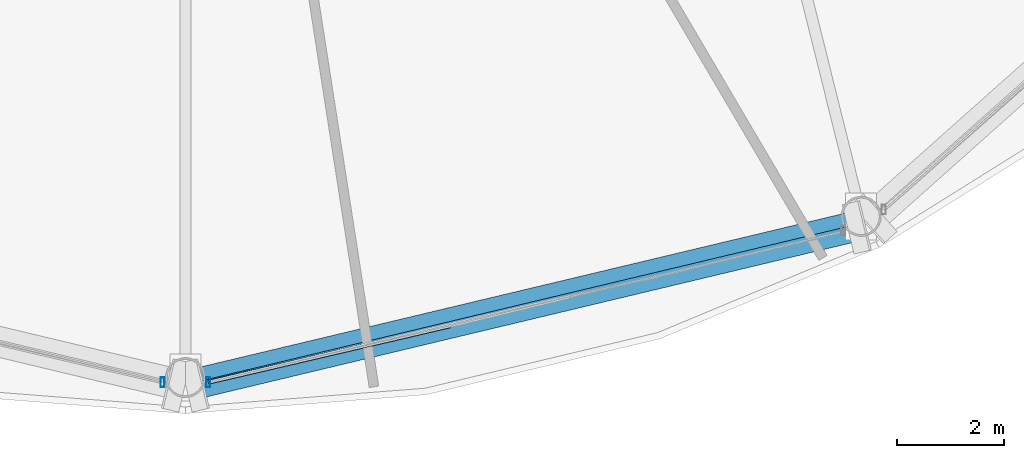
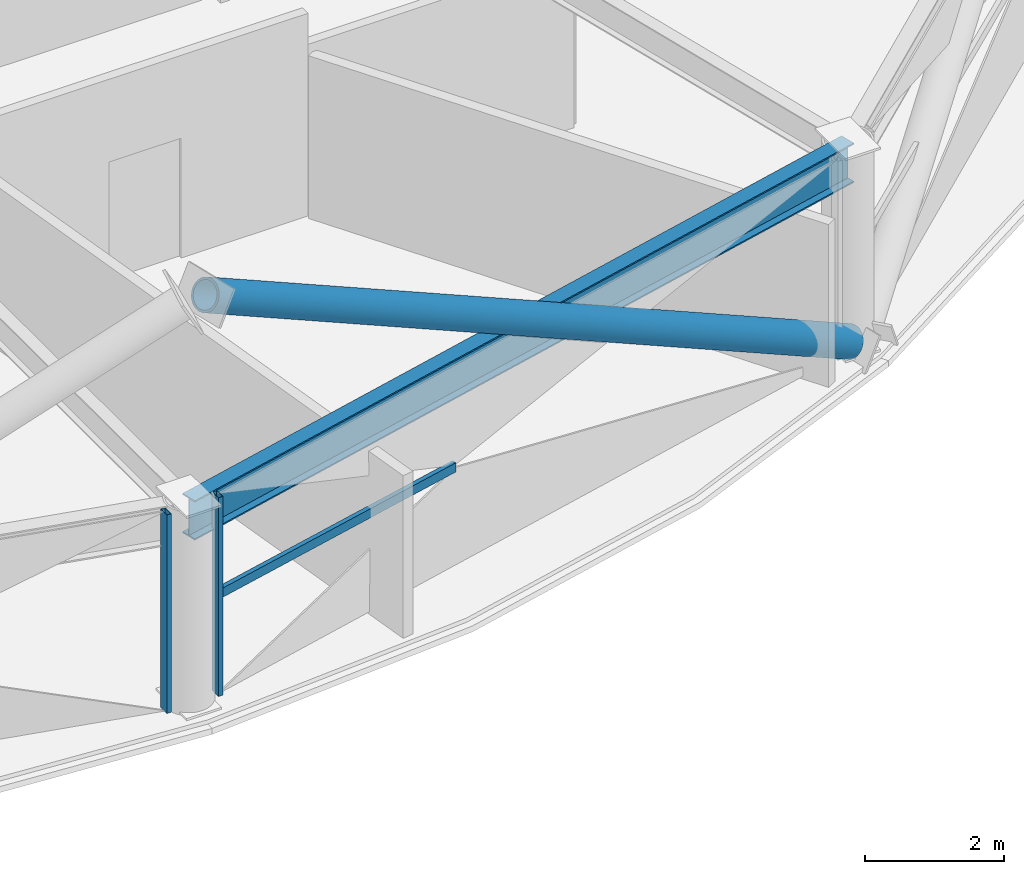
# One storey, part 4 of 30: 4 members, 1 beam, 2 elements without a shape of their own.
"""IFC4 building model written with IfcOpenShell, lengths in metres."""

from ifc_helpers import new_model, si_unit, direction, frame, origin, origin_2d, place, context, subcontext, project, spatial, hollow_rectangle, hollow_circle, i_section, extrude, material, layer, layer_set, material_profile, profile_set, type_object, element, aggregate, save


model = new_model("IFC4")

# Units and contexts
model_context = context("Model", 3, precision=1e-05, world=origin(), true_north=direction((0.0, 1.0)))
body_context = subcontext(model_context, "Body", "Model", "MODEL_VIEW")
ifc_project = project(units=[si_unit("LENGTHUNIT", "METRE"), si_unit("AREAUNIT", "SQUARE_METRE"), si_unit("VOLUMEUNIT", "CUBIC_METRE"), si_unit("PLANEANGLEUNIT", "RADIAN"), si_unit("MASSUNIT", "GRAM", prefix="KILO")], contexts=[model_context])

# Site, building, storey
site_placement = place(None, origin())
site = spatial("IfcSite", under=ifc_project, at=site_placement, CompositionType="ELEMENT")
building_placement = place(site_placement, origin())
building = spatial("IfcBuilding", under=site, at=building_placement, Name="Vantalir Tower", CompositionType="ELEMENT")
storey_placement = place(building_placement, frame((0.0, 0.0, 119.699951171875)))
storey = spatial("IfcBuildingStorey", under=building, at=storey_placement, Name="L29", CompositionType="ELEMENT", Elevation=119.699951171875)

# Beam
ifc_material_1 = material(Name="Steel S460", Category="steel")
ifc_material_profile_1 = material_profile(ifc_material_1, i_section(OverallWidth=0.256103515625, OverallDepth=0.693115234375, WebThickness=0.014404296875, FlangeThickness=0.023681640625, at=origin_2d()), Name="Steel S460")
ifc_profile_set_1 = profile_set([ifc_material_profile_1], Name="Steel S460")
beam_type = type_object("IfcBeamType", Name="BM-RG-686x254", PredefinedType="USERDEFINED", material=ifc_profile_set_1)
beam_placement = place(storey_placement, frame((31.5, 2.43408203125, 3.22314453125), z_axis=(0.972697106811, 0.232078302307, 0.0), x_axis=(-0.232078302307, 0.972697106811, 0.0)))
element("IfcBeam", 1, at=beam_placement, inside=storey, type_object=beam_type, Name="L29 Circumferential Ring Girder 10", ObjectType="GIRDER", PredefinedType="USERDEFINED", context=body_context, shape_type="SweptSolid", body=[
    extrude(i_section(OverallWidth=0.256103515625, OverallDepth=0.693115234375, WebThickness=0.014404296875, FlangeThickness=0.023681640625, at=origin_2d()), origin(), (0.0, 0.0, 1.0), 13.025634765625),
])

# Curtain wall, member
ifc_material_2 = material(Name="Champagne-silver PVDF aluminium and double-silver Low-E glass", Category="aluminium")
ifc_layer = layer(ifc_material_2, 0.199951171875)
ifc_layer_set = layer_set([ifc_layer], Name="Champagne-silver PVDF aluminium and double-silver Low-E glass")
curtain_wall_type = type_object("IfcCurtainWallType", Name="CW-DIAMOND-Z2", PredefinedType="USERDEFINED", material=ifc_layer_set)
curtain_wall_1_placement = place(storey_placement, origin())
curtain_wall_1 = element("IfcCurtainWall", 2, at=curtain_wall_1_placement, inside=storey, type_object=curtain_wall_type, Name="L29 Quilted Pyramid-Diamond Curtain Wall S09", ObjectType="UNITISED CURTAIN WALL", PredefinedType="USERDEFINED")
ifc_material_3 = material(Name="Champagne-silver PVDF aluminium 6063-T6", Category="aluminium")
ifc_material_profile_2 = material_profile(ifc_material_3, hollow_rectangle(XDim=0.074951171875, YDim=0.179931640625, WallThickness=0.00390625, at=origin_2d()), Name="Champagne-silver PVDF aluminium 6063-T6")
ifc_profile_set_2 = profile_set([ifc_material_profile_2], Name="Champagne-silver PVDF aluminium 6063-T6")
member_type_1 = type_object("IfcMemberType", Name="CWM-180x75", PredefinedType="MULLION", material=ifc_profile_set_2)
member_1_placement = place(storey_placement, frame((31.072021484375, 2.345947265625, 0.045166015625), z_axis=(0.0, 0.0, 1.0), x_axis=(1.0, 0.0, 0.0)))
member_1 = element("IfcMember", 3, at=member_1_placement, type_object=member_type_1, Name="CW-L29-S09 Mullion 2", PredefinedType="MULLION", context=body_context, shape_type="SweptSolid", body=[
    extrude(hollow_rectangle(XDim=0.074951171875, YDim=0.179931640625, WallThickness=0.00390625, at=origin_2d()), origin(), (0.0, 0.0, 1.0), 3.47998046875),
])
aggregate(curtain_wall_1, [member_1])

# Curtain wall, members
curtain_wall_2_placement = place(storey_placement, origin())
curtain_wall_2 = element("IfcCurtainWall", 4, at=curtain_wall_2_placement, inside=storey, type_object=curtain_wall_type, Name="L29 Quilted Pyramid-Diamond Curtain Wall S10", ObjectType="UNITISED CURTAIN WALL", PredefinedType="USERDEFINED")
member_2_placement = place(storey_placement, frame((31.927978515625, 2.345947265625, 0.045166015625), z_axis=(0.0, 0.0, 1.0), x_axis=(1.0, 0.0, 0.0)))
member_2 = element("IfcMember", 5, at=member_2_placement, type_object=member_type_1, Name="CW-L29-S10 Mullion 1", PredefinedType="MULLION", context=body_context, shape_type="SweptSolid", body=[
    extrude(hollow_rectangle(XDim=0.074951171875, YDim=0.179931640625, WallThickness=0.00390625, at=origin_2d()), origin(), (0.0, 0.0, 1.0), 3.47998046875),
])
ifc_material_profile_3 = material_profile(ifc_material_3, hollow_rectangle(XDim=0.074951171875, YDim=0.159912109375, WallThickness=0.00390625, at=origin_2d()), Name="Champagne-silver PVDF aluminium 6063-T6")
ifc_profile_set_3 = profile_set([ifc_material_profile_3], Name="Champagne-silver PVDF aluminium 6063-T6")
member_type_2 = type_object("IfcMemberType", Name="CWT-160x75", PredefinedType="USERDEFINED", material=ifc_profile_set_3)
member_3_placement = place(storey_placement, frame((31.927978515625, 2.345947265625, 1.78515625), z_axis=(0.97379978114, 0.227407093672, 0.0), x_axis=(-0.227407093672, 0.97379978114, 0.0)))
member_3 = element("IfcMember", 6, at=member_3_placement, type_object=member_type_2, Name="CW-L29-S10 Pyramid Fold Ridge Transom", ObjectType="TRANSOM", PredefinedType="USERDEFINED", context=body_context, shape_type="SweptSolid", body=[
    extrude(hollow_rectangle(XDim=0.074951171875, YDim=0.159912109375, WallThickness=0.00390625, at=origin_2d()), origin(), (0.0, 0.0, 1.0), 4.65283203125),
])
aggregate(curtain_wall_2, [member_2, member_3])

# Member
ifc_material_profile_4 = material_profile(ifc_material_1, hollow_circle(Radius=0.260009765625, WallThickness=0.0380859375, at=origin_2d()), Name="Steel S460")
ifc_profile_set_4 = profile_set([ifc_material_profile_4], Name="Steel S460")
member_type_3 = type_object("IfcMemberType", Name="MEM-DB-520x38", PredefinedType="BRACE", material=ifc_profile_set_4)
member_4_placement = place(storey_placement, frame((44.076904296875, 5.248046875, 0.18505859375), z_axis=(-0.853813989994, -0.203926013572, 0.478973748215), x_axis=(0.232307159218, -0.972642474795, 0.0)))
element("IfcMember", 7, at=member_4_placement, inside=storey, type_object=member_type_3, Name="L29 Perimeter S460 Diagrid Brace R31R", PredefinedType="BRACE", context=body_context, shape_type="SweptSolid", body=[
    extrude(hollow_circle(Radius=0.260009765625, WallThickness=0.0380859375, at=origin_2d()), origin(), (0.0, 0.0, 1.0), 14.510009765625),
])

save(model, "model.ifc")
